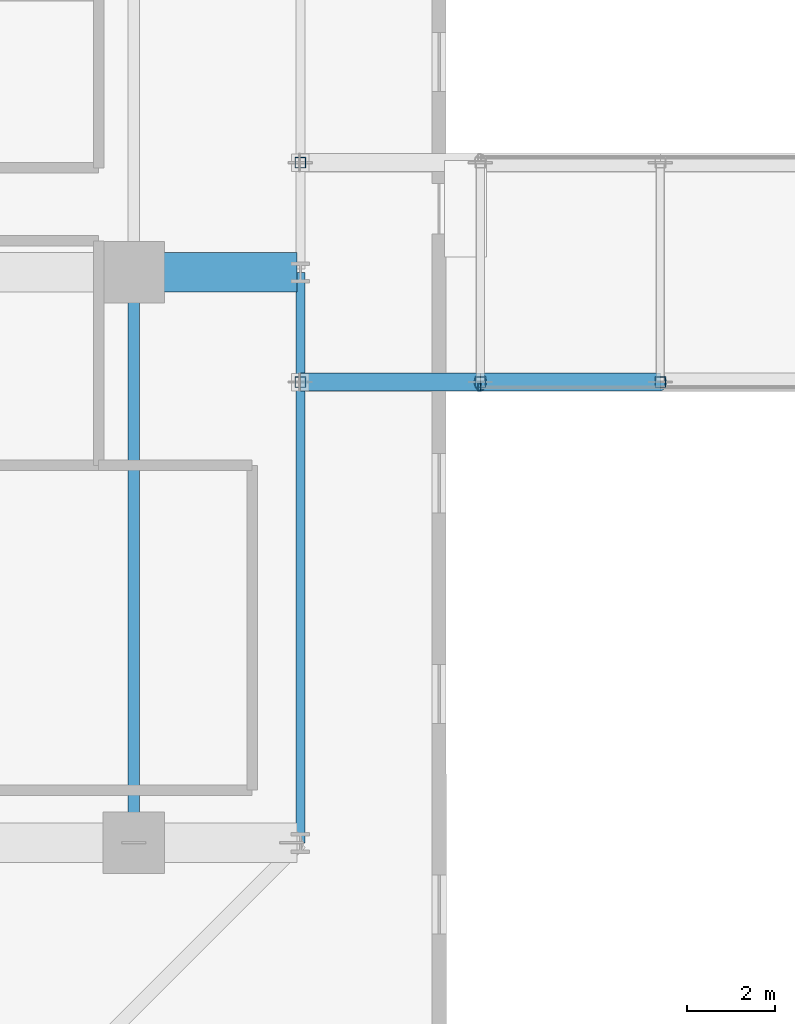
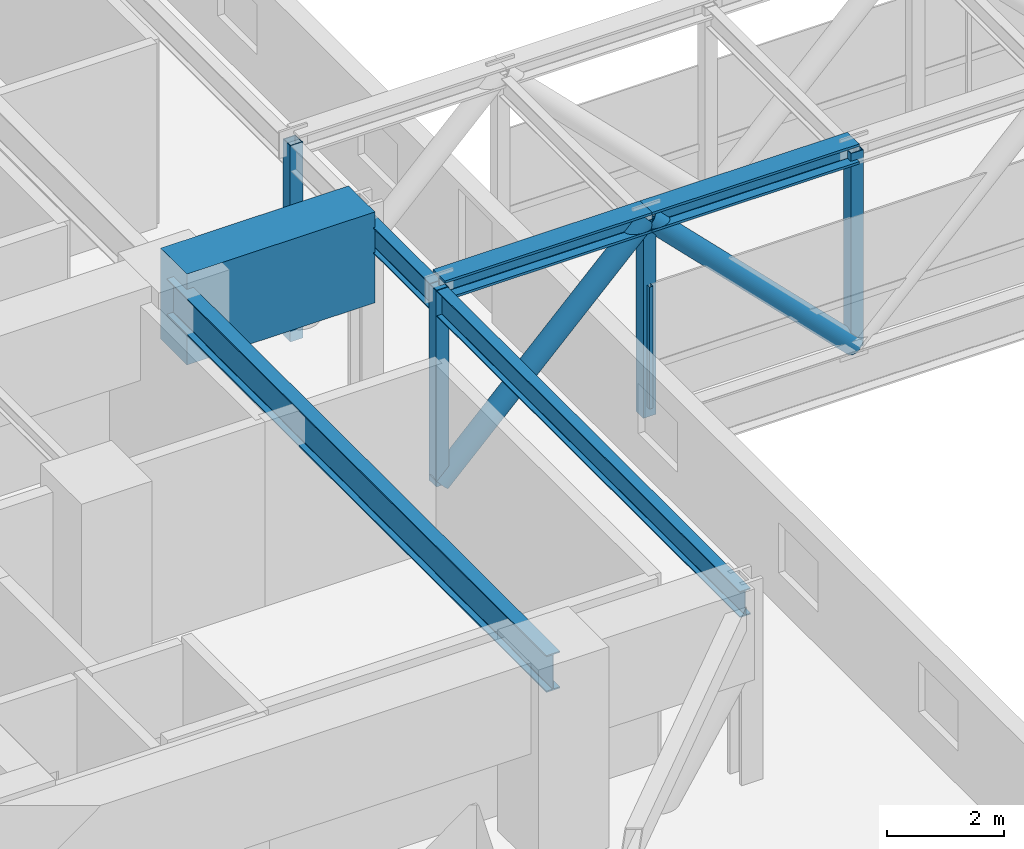
# One storey, part 7 of 38: 9 members, 3 beams, 1 element without a shape of its own.
"""IFC4 building model written with IfcOpenShell, lengths in metres."""

from ifc_helpers import new_model, si_unit, direction, frame, origin, origin_2d, place, context, subcontext, project, spatial, rectangle, hollow_rectangle, hollow_circle, i_section, extrude, material, material_profile, profile_set, type_object, element, aggregate, save


model = new_model("IFC4")

# Units and contexts
model_context = context("Model", 3, precision=1e-05, world=origin(), true_north=direction((0.0, 1.0)))
body_context = subcontext(model_context, "Body", "Model", "MODEL_VIEW")
ifc_project = project(units=[si_unit("LENGTHUNIT", "METRE"), si_unit("AREAUNIT", "SQUARE_METRE"), si_unit("VOLUMEUNIT", "CUBIC_METRE"), si_unit("PLANEANGLEUNIT", "RADIAN"), si_unit("MASSUNIT", "GRAM", prefix="KILO")], contexts=[model_context])

# Site, building, storey
site_placement = place(None, origin())
site = spatial("IfcSite", under=ifc_project, at=site_placement, CompositionType="ELEMENT")
building_placement = place(site_placement, origin())
building = spatial("IfcBuilding", under=site, at=building_placement, Name="Thornwick Lancets Civic Towers", CompositionType="ELEMENT")
storey_placement = place(building_placement, frame((0.0, 0.0, 71.699951171875)))
storey = spatial("IfcBuildingStorey", under=building, at=storey_placement, Name="L18", CompositionType="ELEMENT", Elevation=71.699951171875)

# Beams
ifc_material_1 = material(Name="Steel S355JR", Category="steel")
ifc_material_profile_1 = material_profile(ifc_material_1, i_section(OverallWidth=0.2119140625, OverallDepth=0.54443359375, WebThickness=0.0126953125, FlangeThickness=0.021240234375, FilletRadius=0.0126953125, at=origin_2d()), Name="UKB 533x210x122")
ifc_profile_set_1 = profile_set([ifc_material_profile_1], Name="Steel S355JR")
beam_type_1 = type_object("IfcBeamType", Name="BM_EDGE_533_122", PredefinedType="SPANDREL", material=ifc_profile_set_1)
beam_1_placement = place(storey_placement, frame((46.60009765625, 14.0, 3.607666015625), z_axis=(0.0, 1.0, 0.0), x_axis=(-1.0, 0.0, 0.0)))
element("IfcBeam", 1, at=beam_1_placement, inside=storey, type_object=beam_type_1, Name="BM-EDGE-L18-A-S1-1", PredefinedType="SPANDREL", context=body_context, shape_type="SweptSolid", body=[
    extrude(i_section(OverallWidth=0.2119140625, OverallDepth=0.54443359375, WebThickness=0.0126953125, FlangeThickness=0.021240234375, FilletRadius=0.0126953125, at=origin_2d()), origin(), (0.0, 0.0, 1.0), 13.0),
])
ifc_material_profile_2 = material_profile(ifc_material_1, i_section(OverallWidth=0.26806640625, OverallDepth=0.769775390625, WebThickness=0.015625, FlangeThickness=0.025390625, FilletRadius=0.0166015625, at=origin_2d()), Name="UKB 762x267x197")
ifc_profile_set_2 = profile_set([ifc_material_profile_2], Name="Steel S355JR")
beam_type_2 = type_object("IfcBeamType", Name="BM_GIRD_762_197", PredefinedType="BEAM", material=ifc_profile_set_2)
beam_2_placement = place(storey_placement, frame((42.800048828125, 14.0, 3.4951171875), z_axis=(0.0, 1.0, 0.0), x_axis=(-1.0, 0.0, 0.0)))
element("IfcBeam", 2, at=beam_2_placement, inside=storey, type_object=beam_type_2, Name="BM-SPINE-L18-A-3-4", PredefinedType="BEAM", context=body_context, shape_type="SweptSolid", body=[
    extrude(i_section(OverallWidth=0.26806640625, OverallDepth=0.769775390625, WebThickness=0.015625, FlangeThickness=0.025390625, FilletRadius=0.0166015625, at=origin_2d()), origin(), (0.0, 0.0, 1.0), 13.0),
])
ifc_material_2 = material(Name="Concrete C60/75", Category="concrete")
ifc_material_profile_3 = material_profile(ifc_material_2, rectangle(XDim=0.89990234375, YDim=1.89990234375, at=origin_2d()), Name="RC 900x1900")
ifc_profile_set_3 = profile_set([ifc_material_profile_3], Name="Concrete C60/75")
beam_type_3 = type_object("IfcBeamType", Name="BM_TR_RC1900", PredefinedType="BEAM", material=ifc_profile_set_3)
beam_3_placement = place(storey_placement, frame((42.800048828125, 27.0, 3.25), z_axis=(1.0, 0.0, 0.0), x_axis=(0.0, 1.0, 0.0)))
element("IfcBeam", 3, at=beam_3_placement, inside=storey, type_object=beam_type_3, Name="TG-CANT-L19-A05", PredefinedType="BEAM", context=body_context, shape_type="SweptSolid", body=[
    extrude(rectangle(XDim=0.89990234375, YDim=1.89990234375, at=origin_2d()), origin(), (0.0, 0.0, 1.0), 3.719970703125),
])

# Curtain wall, member
ifc_material_3 = material(Name="Skybridge acoustic laminated-glass curtain wall", Category="glass")
curtain_wall_type = type_object("IfcCurtainWallType", Name="CW_SYS_06", PredefinedType="NOTDEFINED", material=ifc_material_3)
curtain_wall_placement = place(storey_placement, origin())
curtain_wall = element("IfcCurtainWall", 4, at=curtain_wall_placement, inside=storey, type_object=curtain_wall_type, Name="L18 Curtain Wall CW-L18-SKYBRIDGE-S", PredefinedType="NOTDEFINED")
ifc_material_4 = material(Name="Thermally broken bronze aluminium S355", Category="steel")
ifc_material_profile_4 = material_profile(ifc_material_4, hollow_rectangle(XDim=0.074951171875, YDim=0.179931640625, WallThickness=0.006103515625, at=origin_2d()), Name="RHS 180x75x6")
ifc_profile_set_4 = profile_set([ifc_material_profile_4], Name="Thermally broken bronze aluminium S355")
member_type_1 = type_object("IfcMemberType", Name="CW_MUL_180", PredefinedType="MULLION", material=ifc_profile_set_4)
member_1_placement = place(storey_placement, frame((50.679931640625, 24.3798828125, 0.0), z_axis=(0.0, 0.0, 1.0), x_axis=(1.0, 0.0, 0.0)))
member_1 = element("IfcMember", 5, at=member_1_placement, type_object=member_type_1, Name="CW-L18-SKYBRIDGE-S Mullion 0", PredefinedType="MULLION", context=body_context, shape_type="SweptSolid", body=[
    extrude(hollow_rectangle(XDim=0.074951171875, YDim=0.179931640625, WallThickness=0.006103515625, at=origin_2d()), origin(), (0.0, 0.0, 1.0), 2.550048828125),
])
aggregate(curtain_wall, [member_1])

# Members
ifc_material_5 = material(Name="Steel S460M", Category="steel")
ifc_material_profile_5 = material_profile(ifc_material_5, i_section(OverallWidth=0.406982421875, OverallDepth=0.4189453125, WebThickness=0.030517578125, FlangeThickness=0.04931640625, FilletRadius=0.01513671875, at=origin_2d()), Name="UKC 356x406x393")
ifc_profile_set_5 = profile_set([ifc_material_profile_5], Name="Steel S460M")
member_type_2 = type_object("IfcMemberType", Name="MEM_BRG_CHORD_393", PredefinedType="CHORD", material=ifc_profile_set_5)
member_2_placement = place(storey_placement, frame((46.60009765625, 24.5, 3.880126953125), z_axis=(1.0, 0.0, 0.0), x_axis=(0.0, 1.0, 0.0)))
element("IfcMember", 6, at=member_2_placement, inside=storey, type_object=member_type_2, Name="L18 Skybridge Top Chord 1-0", PredefinedType="CHORD", context=body_context, shape_type="SweptSolid", body=[
    extrude(i_section(OverallWidth=0.406982421875, OverallDepth=0.4189453125, WebThickness=0.030517578125, FlangeThickness=0.04931640625, FilletRadius=0.01513671875, at=origin_2d()), origin(), (0.0, 0.0, 1.0), 4.099853515625),
])
member_3_placement = place(storey_placement, frame((50.699951171875, 24.5, 3.880126953125), z_axis=(1.0, 0.0, 0.0), x_axis=(0.0, 1.0, 0.0)))
element("IfcMember", 7, at=member_3_placement, inside=storey, type_object=member_type_2, Name="L18 Skybridge Top Chord 1-1", PredefinedType="CHORD", context=body_context, shape_type="SweptSolid", body=[
    extrude(i_section(OverallWidth=0.406982421875, OverallDepth=0.4189453125, WebThickness=0.030517578125, FlangeThickness=0.04931640625, FilletRadius=0.01513671875, at=origin_2d()), origin(), (0.0, 0.0, 1.0), 4.10009765625),
])
ifc_material_profile_6 = material_profile(ifc_material_5, hollow_circle(Radius=0.203125, WallThickness=0.02001953125, at=origin_2d()), Name="CHS 406.4x20")
ifc_profile_set_6 = profile_set([ifc_material_profile_6], Name="Steel S460M")
member_type_3 = type_object("IfcMemberType", Name="MEM_BRG_WEB_CHS406", PredefinedType="BRACE", material=ifc_profile_set_6)
for number, where, z_axis, x_axis, name in (
    (8, (46.60009765625, 24.5, -0.219970703125), (0.707085727883, 0.0, 0.707127833863), (0.0, 1.0, 0.0), "L18 Skybridge Truss Diagonal 1-0"),
    (9, (50.699951171875, 24.5, 3.880126953125), (0.707106781187, 0.0, -0.707106781187), (0.0, 1.0, 0.0), "L18 Skybridge Truss Diagonal 1-1"),
):
    element("IfcMember", number, at=place(storey_placement, frame(where, z_axis=z_axis, x_axis=x_axis)), inside=storey, type_object=member_type_3, Name=name, PredefinedType="BRACE", context=body_context, shape_type="SweptSolid", body=[
        extrude(hollow_circle(Radius=0.203125, WallThickness=0.02001953125, at=origin_2d()), origin(), (0.0, 0.0, 1.0), 5.79833984375),
    ])
ifc_material_profile_7 = material_profile(ifc_material_5, hollow_rectangle(XDim=0.25, YDim=0.25, WallThickness=0.01611328125, at=origin_2d()), Name="SHS 250x250x16")
ifc_profile_set_7 = profile_set([ifc_material_profile_7], Name="Steel S460M")
member_type_4 = type_object("IfcMemberType", Name="MEM_BRG_WEB_SHS250", PredefinedType="BRACE", material=ifc_profile_set_7)
for number, where, z_axis, x_axis, name in (
    (10, (46.60009765625, 24.5, -0.219970703125), (0.0, 0.0, 1.0), (1.0, 0.0, 0.0), "L18 Skybridge Truss Post 1-0"),
    (11, (50.699951171875, 24.5, -0.219970703125), (0.0, 0.0, 1.0), (1.0, 0.0, 0.0), "L18 Skybridge Truss Post 1-1"),
    (12, (54.800048828125, 24.5, -0.219970703125), (0.0, 0.0, 1.0), (1.0, 0.0, 0.0), "L18 Skybridge Truss Post 1-2"),
    (13, (46.60009765625, 29.5, -0.219970703125), (0.0, 0.0, 1.0), (1.0, 0.0, 0.0), "L18 Skybridge Truss Post 2-0"),
):
    element("IfcMember", number, at=place(storey_placement, frame(where, z_axis=z_axis, x_axis=x_axis)), inside=storey, type_object=member_type_4, Name=name, PredefinedType="BRACE", context=body_context, shape_type="SweptSolid", body=[
        extrude(hollow_rectangle(XDim=0.25, YDim=0.25, WallThickness=0.01611328125, at=origin_2d()), origin(), (0.0, 0.0, 1.0), 4.10009765625),
    ])

save(model, "model.ifc")
